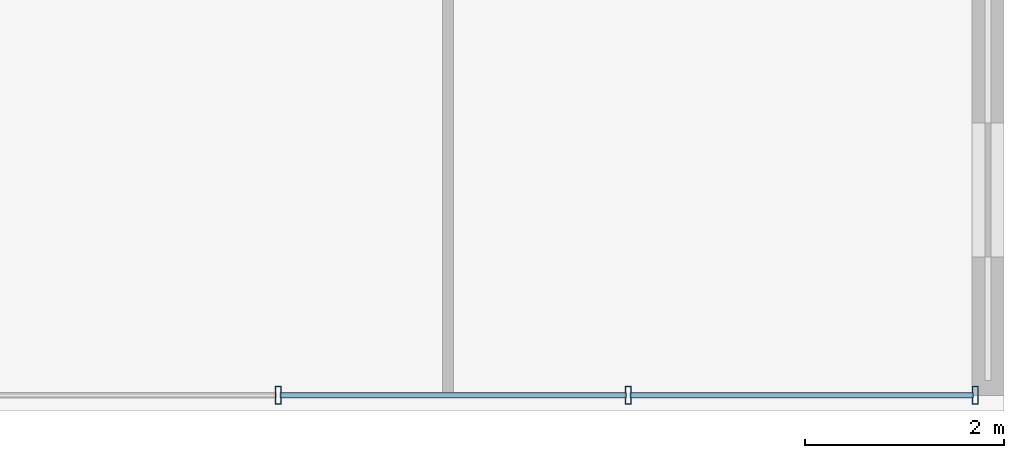
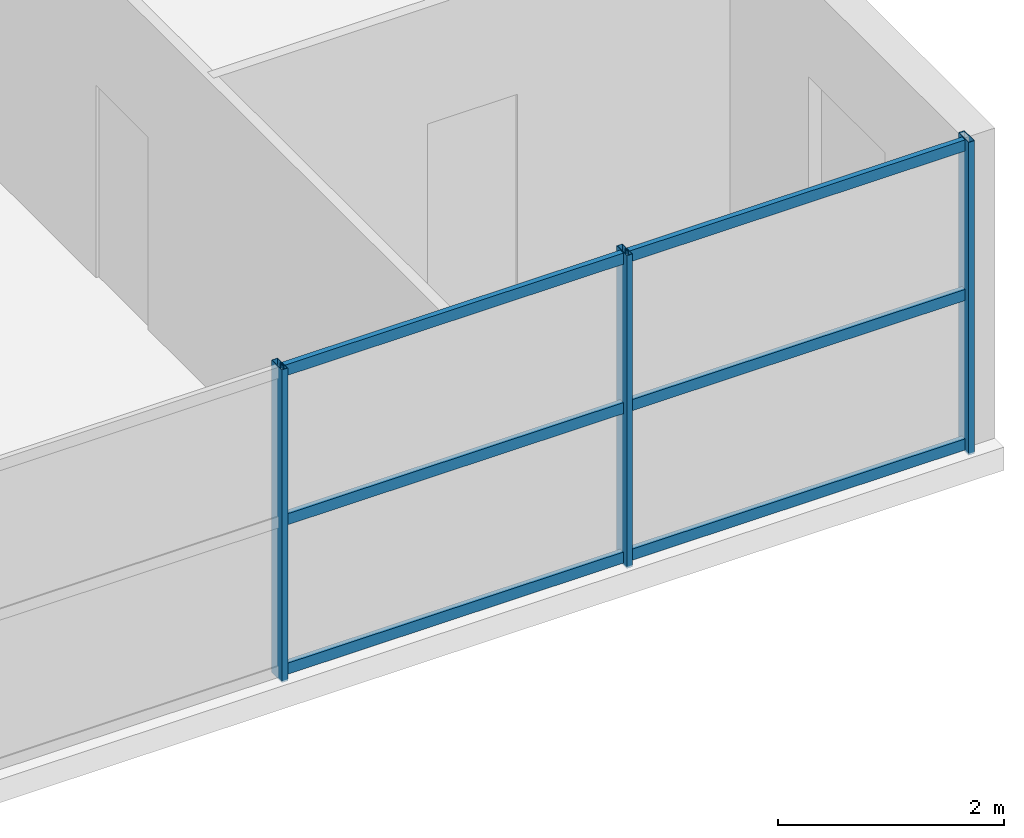
# One storey, part 5 of 17: 9 members, 1 element without a shape of its own.
"""IFC4 building model written with IfcOpenShell, lengths in metres."""

from ifc_helpers import new_model, si_unit, direction, frame, origin, origin_2d, place, context, subcontext, project, spatial, hollow_rectangle, extrude, source, transform, mapped, material, material_profile, profile_set, type_object, element, aggregate, save


model = new_model("IFC4")

# Units and contexts
model_context = context("Model", 3, precision=1e-05, world=origin(), true_north=direction((0.0, 1.0)))
body_context = subcontext(model_context, "Body", "Model", "MODEL_VIEW")
ifc_project = project(units=[si_unit("LENGTHUNIT", "METRE"), si_unit("AREAUNIT", "SQUARE_METRE"), si_unit("VOLUMEUNIT", "CUBIC_METRE"), si_unit("PLANEANGLEUNIT", "RADIAN"), si_unit("MASSUNIT", "GRAM", prefix="KILO")], contexts=[model_context])

# Site, building, storey
site_placement = place(None, origin())
site = spatial("IfcSite", under=ifc_project, at=site_placement, CompositionType="ELEMENT")
building_placement = place(site_placement, origin())
building = spatial("IfcBuilding", under=site, at=building_placement, Name="Tlacorven Tower", CompositionType="ELEMENT")
storey_placement = place(building_placement, frame((0.0, 0.0, 270.0)))
storey = spatial("IfcBuildingStorey", under=building, at=storey_placement, Name="L68", CompositionType="ELEMENT", Elevation=270.0)

# Curtain wall, members
ifc_material_1 = material(Name="Dark solar low-E double glazing in aluminium frame", Category="aluminium")
curtain_wall_type = type_object("IfcCurtainWallType", Name="CW-TWR-HIGH", PredefinedType="USERDEFINED", material=ifc_material_1)
curtain_wall_placement = place(storey_placement, origin())
curtain_wall = element("IfcCurtainWall", 1, at=curtain_wall_placement, inside=storey, type_object=curtain_wall_type, Name="L68 CW-TWR-HIGH Curtain Wall 314", ObjectType="UNITISED CURTAIN WALL", PredefinedType="USERDEFINED")
ifc_material_2 = material(Name="Aluminium 6063-T6 anodised", Category="aluminium")
ifc_material_profile_1 = material_profile(ifc_material_2, hollow_rectangle(XDim=0.06005859375, YDim=0.179931640625, WallThickness=0.00390625, at=origin_2d()), Name="ALU MULLION 60X180")
ifc_profile_set_1 = profile_set([ifc_material_profile_1], Name="Aluminium 6063-T6 anodised")
member_type_1 = type_object("IfcMemberType", Name="CWM-03", PredefinedType="MULLION", material=ifc_profile_set_1)
shared_shape_1 = source(origin(), body_context, "Body", "SweptSolid", [
    extrude(hollow_rectangle(XDim=0.06005859375, YDim=0.179931640625, WallThickness=0.00390625, at=origin_2d()), origin(), (0.0, 0.0, 1.0), 3.380126953125),
])
member_1_placement = place(storey_placement, frame((43.909912109375, 1.9599609375, -0.02001953125), z_axis=(0.0, 0.0, 1.0), x_axis=(-1.0, 0.0, 0.0)))
member_1 = element("IfcMember", 2, at=member_1_placement, type_object=member_type_1, Name="CW-L68-314 Mullion 1", PredefinedType="MULLION", context=body_context, shape_type="MappedRepresentation", body=[
    mapped(shared_shape_1, transform((0.0, 0.0, 0.0), scale=1.0)),
])
member_2_placement = place(storey_placement, frame((40.41552734375, 1.9599609375, -0.02001953125), z_axis=(0.0, 0.0, 1.0), x_axis=(-1.0, 0.0, 0.0)))
member_2 = element("IfcMember", 3, at=member_2_placement, type_object=member_type_1, Name="CW-L68-314 Mullion 2", PredefinedType="MULLION", context=body_context, shape_type="MappedRepresentation", body=[
    mapped(shared_shape_1, transform((0.0, 0.0, 0.0), scale=1.0)),
])
member_3_placement = place(storey_placement, frame((36.890869140625, 1.9599609375, -0.02001953125), z_axis=(0.0, 0.0, 1.0), x_axis=(-1.0, 0.0, 0.0)))
member_3 = element("IfcMember", 4, at=member_3_placement, type_object=member_type_1, Name="CW-L68-314 Mullion 3", PredefinedType="MULLION", context=body_context, shape_type="MappedRepresentation", body=[
    mapped(shared_shape_1, transform((0.0, 0.0, 0.0), scale=1.0)),
])
ifc_material_profile_2 = material_profile(ifc_material_2, hollow_rectangle(XDim=0.054931640625, YDim=0.1201171875, WallThickness=0.00341796875, at=origin_2d()), Name="ALU TRANSOM 55X120")
ifc_profile_set_2 = profile_set([ifc_material_profile_2], Name="Aluminium 6063-T6 anodised")
member_type_2 = type_object("IfcMemberType", Name="CWT-03", PredefinedType="USERDEFINED", material=ifc_profile_set_2)
shared_shape_2 = source(origin(), body_context, "Body", "SweptSolid", [
    extrude(hollow_rectangle(XDim=0.054931640625, YDim=0.1201171875, WallThickness=0.00341796875, at=origin_2d()), origin(), (0.0, 0.0, 1.0), 3.458740234375),
])
member_4_placement = place(storey_placement, frame((43.89208984375, 1.9599609375, 0.06005859375), z_axis=(-1.0, 0.0, 0.0), x_axis=(0.0, -1.0, 0.0)))
member_4 = element("IfcMember", 5, at=member_4_placement, type_object=member_type_2, Name="CW-L68-314 Transom 1", ObjectType="TRANSOM", PredefinedType="USERDEFINED", context=body_context, shape_type="MappedRepresentation", body=[
    mapped(shared_shape_2, transform((0.0, 0.0, 0.0), scale=1.0)),
])
member_5_placement = place(storey_placement, frame((43.89208984375, 1.9599609375, 1.675048828125), z_axis=(-1.0, 0.0, 0.0), x_axis=(0.0, -1.0, 0.0)))
member_5 = element("IfcMember", 6, at=member_5_placement, type_object=member_type_2, Name="CW-L68-314 Transom 2", ObjectType="TRANSOM", PredefinedType="USERDEFINED", context=body_context, shape_type="MappedRepresentation", body=[
    mapped(shared_shape_2, transform((0.0, 0.0, 0.0), scale=1.0)),
])
member_6_placement = place(storey_placement, frame((43.89208984375, 1.9599609375, 3.2900390625), z_axis=(-1.0, 0.0, 0.0), x_axis=(0.0, -1.0, 0.0)))
member_6 = element("IfcMember", 7, at=member_6_placement, type_object=member_type_2, Name="CW-L68-314 Transom 3", ObjectType="TRANSOM", PredefinedType="USERDEFINED", context=body_context, shape_type="MappedRepresentation", body=[
    mapped(shared_shape_2, transform((0.0, 0.0, 0.0), scale=1.0)),
])
shared_shape_3 = source(origin(), body_context, "Body", "SweptSolid", [
    extrude(hollow_rectangle(XDim=0.054931640625, YDim=0.1201171875, WallThickness=0.00341796875, at=origin_2d()), origin(), (0.0, 0.0, 1.0), 3.488525390625),
])
member_7_placement = place(storey_placement, frame((40.3974609375, 1.9599609375, 0.06005859375), z_axis=(-1.0, 0.0, 0.0), x_axis=(0.0, -1.0, 0.0)))
member_7 = element("IfcMember", 8, at=member_7_placement, type_object=member_type_2, Name="CW-L68-314 Transom 4", ObjectType="TRANSOM", PredefinedType="USERDEFINED", context=body_context, shape_type="MappedRepresentation", body=[
    mapped(shared_shape_3, transform((0.0, 0.0, 0.0), scale=1.0)),
])
member_8_placement = place(storey_placement, frame((40.3974609375, 1.9599609375, 1.675048828125), z_axis=(-1.0, 0.0, 0.0), x_axis=(0.0, -1.0, 0.0)))
member_8 = element("IfcMember", 9, at=member_8_placement, type_object=member_type_2, Name="CW-L68-314 Transom 5", ObjectType="TRANSOM", PredefinedType="USERDEFINED", context=body_context, shape_type="MappedRepresentation", body=[
    mapped(shared_shape_3, transform((0.0, 0.0, 0.0), scale=1.0)),
])
member_9_placement = place(storey_placement, frame((40.3974609375, 1.9599609375, 3.2900390625), z_axis=(-1.0, 0.0, 0.0), x_axis=(0.0, -1.0, 0.0)))
member_9 = element("IfcMember", 10, at=member_9_placement, type_object=member_type_2, Name="CW-L68-314 Transom 6", ObjectType="TRANSOM", PredefinedType="USERDEFINED", context=body_context, shape_type="MappedRepresentation", body=[
    mapped(shared_shape_3, transform((0.0, 0.0, 0.0), scale=1.0)),
])
aggregate(curtain_wall, [member_1, member_2, member_3, member_4, member_5, member_6, member_7, member_8, member_9])

save(model, "model.ifc")
